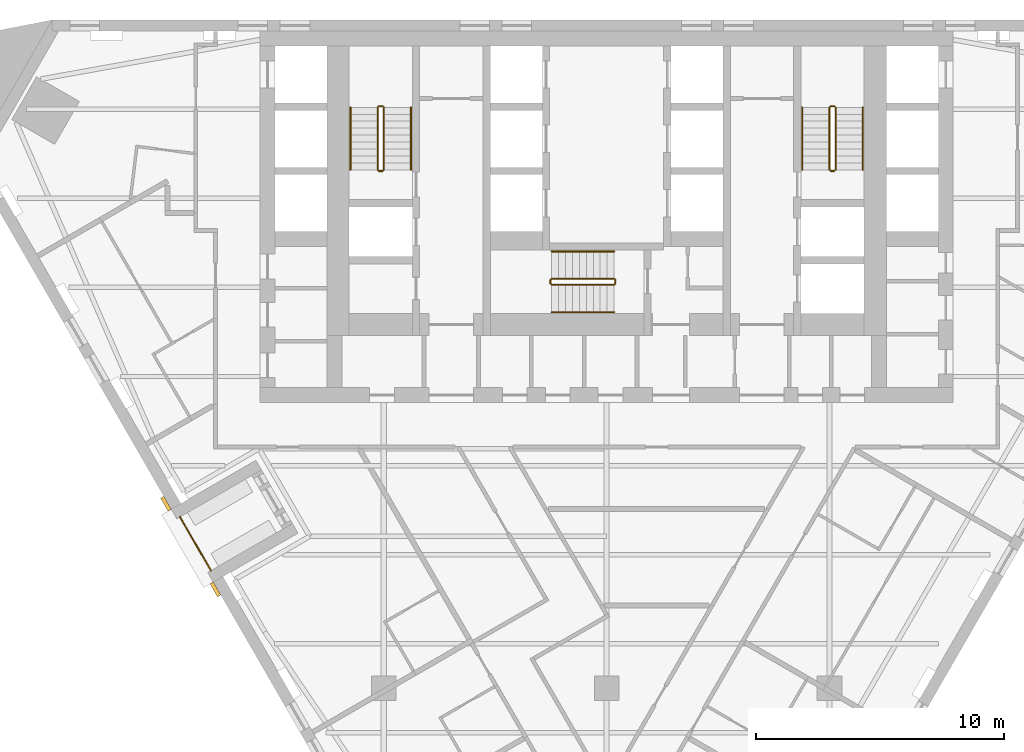
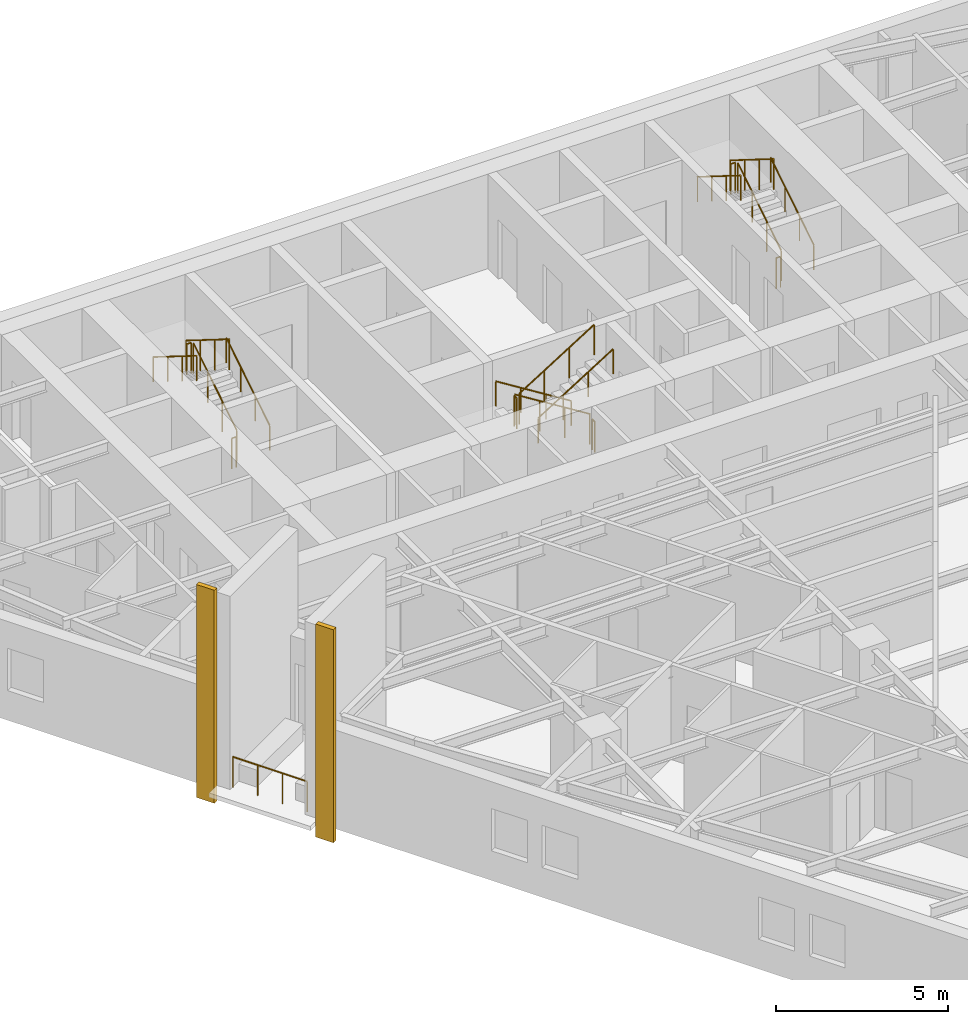
# One storey, part 9 of 9: 19 railings, 2 coverings.
"""IFC4 building model written with IfcOpenShell, lengths in metres."""

from ifc_helpers import new_model, si_unit, direction, frame, origin, origin_2d, place, context, subcontext, project, spatial, polyline, circle, outline, extrude, material, layer, layer_set, type_object, element, save


model = new_model("IFC4")

# Units and contexts
model_context = context("Model", 3, precision=1e-05, world=origin(), true_north=direction((0.0, 1.0)))
body_context = subcontext(model_context, "Body", "Model", "MODEL_VIEW")
ifc_project = project(units=[si_unit("LENGTHUNIT", "METRE"), si_unit("AREAUNIT", "SQUARE_METRE"), si_unit("VOLUMEUNIT", "CUBIC_METRE"), si_unit("PLANEANGLEUNIT", "RADIAN"), si_unit("MASSUNIT", "GRAM", prefix="KILO")], contexts=[model_context])

# Site, building, storey
site_placement = place(None, origin())
site = spatial("IfcSite", under=ifc_project, at=site_placement, CompositionType="ELEMENT")
building_placement = place(site_placement, origin())
building = spatial("IfcBuilding", under=site, at=building_placement, Name="Aloe Facet Convention Tower", CompositionType="ELEMENT")
storey_placement = place(building_placement, frame((0.0, 0.0, 52.5)))
storey = spatial("IfcBuildingStorey", under=building, at=storey_placement, Name="L11", CompositionType="ELEMENT", Elevation=52.5)

# Railings
ifc_material_1 = material(Name="Steel S355 balustrade", Category="steel")
railing_type_1 = type_object("IfcRailingType", Name="CR-RL-GUARD", PredefinedType="GUARDRAIL", material=ifc_material_1)
railing_1_placement = place(storey_placement, frame((71.0, 128.949951171875, 0.175048828125)))
element("IfcRailing", 1, at=railing_1_placement, inside=storey, type_object=railing_type_1, Name="L11 ST1 stair guard 1", PredefinedType="GUARDRAIL", context=body_context, shape_type="SweptSolid", body=[
    extrude(circle(Radius=0.02392578125, at=origin_2d()), frame((0.0, 0.0, 1.076171875), z_axis=(0.0, 0.848007534815, 0.529984170421), x_axis=(-1.0, 0.0, 0.0)), (0.0, 0.0, 1.0), 2.9716796875),
    extrude(circle(Radius=0.02099609375, at=origin_2d()), origin(), (0.0, 0.0, 1.0), 1.052001953125),
    extrude(circle(Radius=0.02099609375, at=origin_2d()), frame((0.0, 0.840087890625, 0.52490234375)), (0.0, 0.0, 1.0), 1.052001953125),
    extrude(circle(Radius=0.02099609375, at=origin_2d()), frame((0.0, 1.679931640625, 1.050048828125)), (0.0, 0.0, 1.0), 1.052001953125),
    extrude(circle(Radius=0.02099609375, at=origin_2d()), frame((0.0, 2.52001953125, 1.574951171875)), (0.0, 0.0, 1.0), 1.052001953125),
])
railing_2_placement = place(storey_placement, frame((70.949951171875, 131.52001953125, 1.75)))
element("IfcRailing", 2, at=railing_2_placement, inside=storey, type_object=railing_type_1, Name="L11 ST1 stair guard 2", PredefinedType="GUARDRAIL", context=body_context, shape_type="SweptSolid", body=[
    extrude(circle(Radius=0.02392578125, at=origin_2d()), frame((0.0, 0.0, 1.076171875), z_axis=(-1.0, 0.0, 0.0), x_axis=(0.0, -1.0, 0.0)), (0.0, 0.0, 1.0), 0.14990234375),
    extrude(circle(Radius=0.02099609375, at=origin_2d()), origin(), (0.0, 0.0, 1.0), 1.052001953125),
    extrude(circle(Radius=0.02099609375, at=origin_2d()), frame((-0.14990234375, 0.0, 0.0)), (0.0, 0.0, 1.0), 1.052001953125),
])
railing_3_placement = place(storey_placement, frame((70.75, 131.469970703125, 1.925048828125)))
element("IfcRailing", 3, at=railing_3_placement, inside=storey, type_object=railing_type_1, Name="L11 ST1 stair guard 3", PredefinedType="GUARDRAIL", context=body_context, shape_type="SweptSolid", body=[
    extrude(circle(Radius=0.02392578125, at=origin_2d()), frame((0.0, 0.0, 1.076171875), z_axis=(0.0, -0.848007534815, 0.529984170421), x_axis=(1.0, 0.0, 0.0)), (0.0, 0.0, 1.0), 2.9716796875),
    extrude(circle(Radius=0.02099609375, at=origin_2d()), origin(), (0.0, 0.0, 1.0), 1.052001953125),
    extrude(circle(Radius=0.02099609375, at=origin_2d()), frame((0.0, -0.840087890625, 0.52490234375)), (0.0, 0.0, 1.0), 1.052001953125),
    extrude(circle(Radius=0.02099609375, at=origin_2d()), frame((0.0, -1.679931640625, 1.050048828125)), (0.0, 0.0, 1.0), 1.052001953125),
    extrude(circle(Radius=0.02099609375, at=origin_2d()), frame((0.0, -2.52001953125, 1.574951171875)), (0.0, 0.0, 1.0), 1.052001953125),
])
railing_4_placement = place(storey_placement, frame((70.949951171875, 128.89990234375, 0.0)))
element("IfcRailing", 4, at=railing_4_placement, inside=storey, type_object=railing_type_1, Name="L11 ST1 stair guard 4", PredefinedType="GUARDRAIL", context=body_context, shape_type="SweptSolid", body=[
    extrude(circle(Radius=0.02392578125, at=origin_2d()), frame((0.0, 0.0, 1.076171875), z_axis=(-1.0, 0.0, 0.0), x_axis=(0.0, -1.0, 0.0)), (0.0, 0.0, 1.0), 0.14990234375),
    extrude(circle(Radius=0.02099609375, at=origin_2d()), origin(), (0.0, 0.0, 1.0), 1.052001953125),
    extrude(circle(Radius=0.02099609375, at=origin_2d()), frame((-0.14990234375, 0.0, 0.0)), (0.0, 0.0, 1.0), 1.052001953125),
])
railing_5_placement = place(storey_placement, frame((89.25, 128.949951171875, 0.175048828125)))
element("IfcRailing", 5, at=railing_5_placement, inside=storey, type_object=railing_type_1, Name="L11 ST2 stair guard 1", PredefinedType="GUARDRAIL", context=body_context, shape_type="SweptSolid", body=[
    extrude(circle(Radius=0.02392578125, at=origin_2d()), frame((0.0, 0.0, 1.076171875), z_axis=(0.0, 0.848007534815, 0.529984170421), x_axis=(-1.0, 0.0, 0.0)), (0.0, 0.0, 1.0), 2.9716796875),
    extrude(circle(Radius=0.02099609375, at=origin_2d()), origin(), (0.0, 0.0, 1.0), 1.052001953125),
    extrude(circle(Radius=0.02099609375, at=origin_2d()), frame((0.0, 0.840087890625, 0.52490234375)), (0.0, 0.0, 1.0), 1.052001953125),
    extrude(circle(Radius=0.02099609375, at=origin_2d()), frame((0.0, 1.679931640625, 1.050048828125)), (0.0, 0.0, 1.0), 1.052001953125),
    extrude(circle(Radius=0.02099609375, at=origin_2d()), frame((0.0, 2.52001953125, 1.574951171875)), (0.0, 0.0, 1.0), 1.052001953125),
])
railing_6_placement = place(storey_placement, frame((89.199951171875, 131.52001953125, 1.75)))
element("IfcRailing", 6, at=railing_6_placement, inside=storey, type_object=railing_type_1, Name="L11 ST2 stair guard 2", PredefinedType="GUARDRAIL", context=body_context, shape_type="SweptSolid", body=[
    extrude(circle(Radius=0.02392578125, at=origin_2d()), frame((0.0, 0.0, 1.076171875), z_axis=(-1.0, 0.0, 0.0), x_axis=(0.0, -1.0, 0.0)), (0.0, 0.0, 1.0), 0.14990234375),
    extrude(circle(Radius=0.02099609375, at=origin_2d()), origin(), (0.0, 0.0, 1.0), 1.052001953125),
    extrude(circle(Radius=0.02099609375, at=origin_2d()), frame((-0.14990234375, 0.0, 0.0)), (0.0, 0.0, 1.0), 1.052001953125),
])
railing_7_placement = place(storey_placement, frame((89.0, 131.469970703125, 1.925048828125)))
element("IfcRailing", 7, at=railing_7_placement, inside=storey, type_object=railing_type_1, Name="L11 ST2 stair guard 3", PredefinedType="GUARDRAIL", context=body_context, shape_type="SweptSolid", body=[
    extrude(circle(Radius=0.02392578125, at=origin_2d()), frame((0.0, 0.0, 1.076171875), z_axis=(0.0, -0.848007534815, 0.529984170421), x_axis=(1.0, 0.0, 0.0)), (0.0, 0.0, 1.0), 2.9716796875),
    extrude(circle(Radius=0.02099609375, at=origin_2d()), origin(), (0.0, 0.0, 1.0), 1.052001953125),
    extrude(circle(Radius=0.02099609375, at=origin_2d()), frame((0.0, -0.840087890625, 0.52490234375)), (0.0, 0.0, 1.0), 1.052001953125),
    extrude(circle(Radius=0.02099609375, at=origin_2d()), frame((0.0, -1.679931640625, 1.050048828125)), (0.0, 0.0, 1.0), 1.052001953125),
    extrude(circle(Radius=0.02099609375, at=origin_2d()), frame((0.0, -2.52001953125, 1.574951171875)), (0.0, 0.0, 1.0), 1.052001953125),
])
railing_8_placement = place(storey_placement, frame((89.199951171875, 128.89990234375, 0.0)))
element("IfcRailing", 8, at=railing_8_placement, inside=storey, type_object=railing_type_1, Name="L11 ST2 stair guard 4", PredefinedType="GUARDRAIL", context=body_context, shape_type="SweptSolid", body=[
    extrude(circle(Radius=0.02392578125, at=origin_2d()), frame((0.0, 0.0, 1.076171875), z_axis=(-1.0, 0.0, 0.0), x_axis=(0.0, -1.0, 0.0)), (0.0, 0.0, 1.0), 0.14990234375),
    extrude(circle(Radius=0.02099609375, at=origin_2d()), origin(), (0.0, 0.0, 1.0), 1.052001953125),
    extrude(circle(Radius=0.02099609375, at=origin_2d()), frame((-0.14990234375, 0.0, 0.0)), (0.0, 0.0, 1.0), 1.052001953125),
])
railing_9_placement = place(storey_placement, frame((80.300048828125, 124.550048828125, 0.175048828125)))
element("IfcRailing", 9, at=railing_9_placement, inside=storey, type_object=railing_type_1, Name="L11 ST3 stair guard 1", PredefinedType="GUARDRAIL", context=body_context, shape_type="SweptSolid", body=[
    extrude(circle(Radius=0.02392578125, at=origin_2d()), frame((0.0, 0.0, 1.076171875), z_axis=(-0.848007534815, 0.0, 0.529984170421), x_axis=(0.0, -1.0, 0.0)), (0.0, 0.0, 1.0), 2.9716796875),
    extrude(circle(Radius=0.02099609375, at=origin_2d()), origin(), (0.0, 0.0, 1.0), 1.052001953125),
    extrude(circle(Radius=0.02099609375, at=origin_2d()), frame((-0.840087890625, 0.0, 0.52490234375)), (0.0, 0.0, 1.0), 1.052001953125),
    extrude(circle(Radius=0.02099609375, at=origin_2d()), frame((-1.679931640625, 0.0, 1.050048828125)), (0.0, 0.0, 1.0), 1.052001953125),
    extrude(circle(Radius=0.02099609375, at=origin_2d()), frame((-2.52001953125, 0.0, 1.574951171875)), (0.0, 0.0, 1.0), 1.052001953125),
])
railing_10_placement = place(storey_placement, frame((77.72998046875, 124.5, 1.75)))
element("IfcRailing", 10, at=railing_10_placement, inside=storey, type_object=railing_type_1, Name="L11 ST3 stair guard 2", PredefinedType="GUARDRAIL", context=body_context, shape_type="SweptSolid", body=[
    extrude(circle(Radius=0.02392578125, at=origin_2d()), frame((0.0, 0.0, 1.076171875), z_axis=(0.0, -1.0, 0.0), x_axis=(1.0, 0.0, 0.0)), (0.0, 0.0, 1.0), 0.14990234375),
    extrude(circle(Radius=0.02099609375, at=origin_2d()), origin(), (0.0, 0.0, 1.0), 1.052001953125),
    extrude(circle(Radius=0.02099609375, at=origin_2d()), frame((0.0, -0.14990234375, 0.0)), (0.0, 0.0, 1.0), 1.052001953125),
])
railing_11_placement = place(storey_placement, frame((77.780029296875, 124.300048828125, 1.925048828125)))
element("IfcRailing", 11, at=railing_11_placement, inside=storey, type_object=railing_type_1, Name="L11 ST3 stair guard 3", PredefinedType="GUARDRAIL", context=body_context, shape_type="SweptSolid", body=[
    extrude(circle(Radius=0.02392578125, at=origin_2d()), frame((0.0, 0.0, 1.076171875), z_axis=(0.848007534815, 0.0, 0.529984170421), x_axis=(0.0, 1.0, 0.0)), (0.0, 0.0, 1.0), 2.9716796875),
    extrude(circle(Radius=0.02099609375, at=origin_2d()), origin(), (0.0, 0.0, 1.0), 1.052001953125),
    extrude(circle(Radius=0.02099609375, at=origin_2d()), frame((0.840087890625, 0.0, 0.52490234375)), (0.0, 0.0, 1.0), 1.052001953125),
    extrude(circle(Radius=0.02099609375, at=origin_2d()), frame((1.679931640625, 0.0, 1.050048828125)), (0.0, 0.0, 1.0), 1.052001953125),
    extrude(circle(Radius=0.02099609375, at=origin_2d()), frame((2.52001953125, 0.0, 1.574951171875)), (0.0, 0.0, 1.0), 1.052001953125),
])
railing_12_placement = place(storey_placement, frame((80.35009765625, 124.5, 0.0)))
element("IfcRailing", 12, at=railing_12_placement, inside=storey, type_object=railing_type_1, Name="L11 ST3 stair guard 4", PredefinedType="GUARDRAIL", context=body_context, shape_type="SweptSolid", body=[
    extrude(circle(Radius=0.02392578125, at=origin_2d()), frame((0.0, 0.0, 1.076171875), z_axis=(0.0, -1.0, 0.0), x_axis=(1.0, 0.0, 0.0)), (0.0, 0.0, 1.0), 0.14990234375),
    extrude(circle(Radius=0.02099609375, at=origin_2d()), origin(), (0.0, 0.0, 1.0), 1.052001953125),
    extrude(circle(Radius=0.02099609375, at=origin_2d()), frame((0.0, -0.14990234375, 0.0)), (0.0, 0.0, 1.0), 1.052001953125),
])
ifc_material_2 = material(Name="Steel S355 handrail", Category="steel")
railing_type_2 = type_object("IfcRailingType", Name="CR-RL-HAND", PredefinedType="HANDRAIL", material=ifc_material_2)
railing_13_placement = place(storey_placement, frame((72.10009765625, 128.949951171875, 0.175048828125)))
element("IfcRailing", 13, at=railing_13_placement, inside=storey, type_object=railing_type_2, Name="L11 ST1 stair handrail 1", PredefinedType="HANDRAIL", context=body_context, shape_type="SweptSolid", body=[
    extrude(circle(Radius=0.02392578125, at=origin_2d()), frame((0.0, 0.0, 0.8759765625), z_axis=(0.0, 0.848007534815, 0.529984170421), x_axis=(-1.0, 0.0, 0.0)), (0.0, 0.0, 1.0), 2.9716796875),
    extrude(circle(Radius=0.02099609375, at=origin_2d()), origin(), (0.0, 0.0, 1.0), 0.851806640625),
    extrude(circle(Radius=0.02099609375, at=origin_2d()), frame((0.0, 0.840087890625, 0.52490234375)), (0.0, 0.0, 1.0), 0.851806640625),
    extrude(circle(Radius=0.02099609375, at=origin_2d()), frame((0.0, 1.679931640625, 1.050048828125)), (0.0, 0.0, 1.0), 0.851806640625),
    extrude(circle(Radius=0.02099609375, at=origin_2d()), frame((0.0, 2.52001953125, 1.574951171875)), (0.0, 0.0, 1.0), 0.851806640625),
])
railing_14_placement = place(storey_placement, frame((69.64990234375, 131.469970703125, 1.925048828125)))
element("IfcRailing", 14, at=railing_14_placement, inside=storey, type_object=railing_type_2, Name="L11 ST1 stair handrail 2", PredefinedType="HANDRAIL", context=body_context, shape_type="SweptSolid", body=[
    extrude(circle(Radius=0.02392578125, at=origin_2d()), frame((0.0, 0.0, 0.8759765625), z_axis=(0.0, -0.848007534815, 0.529984170421), x_axis=(1.0, 0.0, 0.0)), (0.0, 0.0, 1.0), 2.9716796875),
    extrude(circle(Radius=0.02099609375, at=origin_2d()), origin(), (0.0, 0.0, 1.0), 0.851806640625),
    extrude(circle(Radius=0.02099609375, at=origin_2d()), frame((0.0, -0.840087890625, 0.52490234375)), (0.0, 0.0, 1.0), 0.851806640625),
    extrude(circle(Radius=0.02099609375, at=origin_2d()), frame((0.0, -1.679931640625, 1.050048828125)), (0.0, 0.0, 1.0), 0.851806640625),
    extrude(circle(Radius=0.02099609375, at=origin_2d()), frame((0.0, -2.52001953125, 1.574951171875)), (0.0, 0.0, 1.0), 0.851806640625),
])
railing_15_placement = place(storey_placement, frame((90.35009765625, 128.949951171875, 0.175048828125)))
element("IfcRailing", 15, at=railing_15_placement, inside=storey, type_object=railing_type_2, Name="L11 ST2 stair handrail 1", PredefinedType="HANDRAIL", context=body_context, shape_type="SweptSolid", body=[
    extrude(circle(Radius=0.02392578125, at=origin_2d()), frame((0.0, 0.0, 0.8759765625), z_axis=(0.0, 0.848007534815, 0.529984170421), x_axis=(-1.0, 0.0, 0.0)), (0.0, 0.0, 1.0), 2.9716796875),
    extrude(circle(Radius=0.02099609375, at=origin_2d()), origin(), (0.0, 0.0, 1.0), 0.851806640625),
    extrude(circle(Radius=0.02099609375, at=origin_2d()), frame((0.0, 0.840087890625, 0.52490234375)), (0.0, 0.0, 1.0), 0.851806640625),
    extrude(circle(Radius=0.02099609375, at=origin_2d()), frame((0.0, 1.679931640625, 1.050048828125)), (0.0, 0.0, 1.0), 0.851806640625),
    extrude(circle(Radius=0.02099609375, at=origin_2d()), frame((0.0, 2.52001953125, 1.574951171875)), (0.0, 0.0, 1.0), 0.851806640625),
])
railing_16_placement = place(storey_placement, frame((87.89990234375, 131.469970703125, 1.925048828125)))
element("IfcRailing", 16, at=railing_16_placement, inside=storey, type_object=railing_type_2, Name="L11 ST2 stair handrail 2", PredefinedType="HANDRAIL", context=body_context, shape_type="SweptSolid", body=[
    extrude(circle(Radius=0.02392578125, at=origin_2d()), frame((0.0, 0.0, 0.8759765625), z_axis=(0.0, -0.848007534815, 0.529984170421), x_axis=(1.0, 0.0, 0.0)), (0.0, 0.0, 1.0), 2.9716796875),
    extrude(circle(Radius=0.02099609375, at=origin_2d()), origin(), (0.0, 0.0, 1.0), 0.851806640625),
    extrude(circle(Radius=0.02099609375, at=origin_2d()), frame((0.0, -0.840087890625, 0.52490234375)), (0.0, 0.0, 1.0), 0.851806640625),
    extrude(circle(Radius=0.02099609375, at=origin_2d()), frame((0.0, -1.679931640625, 1.050048828125)), (0.0, 0.0, 1.0), 0.851806640625),
    extrude(circle(Radius=0.02099609375, at=origin_2d()), frame((0.0, -2.52001953125, 1.574951171875)), (0.0, 0.0, 1.0), 0.851806640625),
])
railing_17_placement = place(storey_placement, frame((80.300048828125, 125.64990234375, 0.175048828125)))
element("IfcRailing", 17, at=railing_17_placement, inside=storey, type_object=railing_type_2, Name="L11 ST3 stair handrail 1", PredefinedType="HANDRAIL", context=body_context, shape_type="SweptSolid", body=[
    extrude(circle(Radius=0.02392578125, at=origin_2d()), frame((0.0, 0.0, 0.8759765625), z_axis=(-0.848007534815, 0.0, 0.529984170421), x_axis=(0.0, -1.0, 0.0)), (0.0, 0.0, 1.0), 2.9716796875),
    extrude(circle(Radius=0.02099609375, at=origin_2d()), origin(), (0.0, 0.0, 1.0), 0.851806640625),
    extrude(circle(Radius=0.02099609375, at=origin_2d()), frame((-0.840087890625, 0.0, 0.52490234375)), (0.0, 0.0, 1.0), 0.851806640625),
    extrude(circle(Radius=0.02099609375, at=origin_2d()), frame((-1.679931640625, 0.0, 1.050048828125)), (0.0, 0.0, 1.0), 0.851806640625),
    extrude(circle(Radius=0.02099609375, at=origin_2d()), frame((-2.52001953125, 0.0, 1.574951171875)), (0.0, 0.0, 1.0), 0.851806640625),
])
railing_18_placement = place(storey_placement, frame((77.780029296875, 123.199951171875, 1.925048828125)))
element("IfcRailing", 18, at=railing_18_placement, inside=storey, type_object=railing_type_2, Name="L11 ST3 stair handrail 2", PredefinedType="HANDRAIL", context=body_context, shape_type="SweptSolid", body=[
    extrude(circle(Radius=0.02392578125, at=origin_2d()), frame((0.0, 0.0, 0.8759765625), z_axis=(0.848007534815, 0.0, 0.529984170421), x_axis=(0.0, 1.0, 0.0)), (0.0, 0.0, 1.0), 2.9716796875),
    extrude(circle(Radius=0.02099609375, at=origin_2d()), origin(), (0.0, 0.0, 1.0), 0.851806640625),
    extrude(circle(Radius=0.02099609375, at=origin_2d()), frame((0.840087890625, 0.0, 0.52490234375)), (0.0, 0.0, 1.0), 0.851806640625),
    extrude(circle(Radius=0.02099609375, at=origin_2d()), frame((1.679931640625, 0.0, 1.050048828125)), (0.0, 0.0, 1.0), 0.851806640625),
    extrude(circle(Radius=0.02099609375, at=origin_2d()), frame((2.52001953125, 0.0, 1.574951171875)), (0.0, 0.0, 1.0), 0.851806640625),
])

# Coverings
ifc_material_3 = material(Name="Bronze oxide fascia sheet")
ifc_layer = layer(ifc_material_3, 0.14990234375)
ifc_layer_set = layer_set([ifc_layer], Name="EV-FASCIA-TERR")
covering_type = type_object("IfcCoveringType", Name="EV-FASCIA-TERR", PredefinedType="CLADDING", material=ifc_layer_set)
covering_1_placement = place(storey_placement, frame((0.0, 0.0, -0.550048828125)))
element("IfcCovering", 19, at=covering_1_placement, inside=storey, type_object=covering_type, Name="Terrace frame T02 1", PredefinedType="CLADDING", context=body_context, shape_type="SweptSolid", body=[
    extrude(outline(polyline([(61.97998046875, 115.681884765625), (62.280029296875, 115.162353515625), (62.409912109375, 115.2373046875), (62.110107421875, 115.7568359375), (61.97998046875, 115.681884765625)])), origin(), (0.0, 0.0, 1.0), 7.550048828125),
])
covering_2_placement = place(storey_placement, frame((0.0, 0.0, -0.550048828125)))
element("IfcCovering", 20, at=covering_2_placement, inside=storey, type_object=covering_type, Name="Terrace frame T02 2", PredefinedType="CLADDING", context=body_context, shape_type="SweptSolid", body=[
    extrude(outline(polyline([(63.97998046875, 112.2177734375), (64.280029296875, 111.6982421875), (64.409912109375, 111.773193359375), (64.110107421875, 112.292724609375), (63.97998046875, 112.2177734375)])), origin(), (0.0, 0.0, 1.0), 7.550048828125),
])

# Railing
ifc_material_4 = material(Name="Steel S355, bronze oxide finish", Category="steel")
railing_type_3 = type_object("IfcRailingType", Name="EV-GUARD-TERR", PredefinedType="GUARDRAIL", material=ifc_material_4)
railing_19_placement = place(storey_placement, frame((62.764892578125, 114.922607421875, 0.0)))
element("IfcRailing", 21, at=railing_19_placement, inside=storey, type_object=railing_type_3, Name="GUARD T02", PredefinedType="GUARDRAIL", context=body_context, shape_type="SweptSolid", body=[
    extrude(circle(Radius=0.02392578125, at=origin_2d()), frame((0.0, 0.0, 1.076171875), z_axis=(0.500004234368, -0.866022959057, 0.0), x_axis=(0.866022959057, 0.500004234368, 0.0)), (0.0, 0.0, 1.0), 2.5),
    extrude(circle(Radius=0.02099609375, at=origin_2d()), origin(), (0.0, 0.0, 1.0), 1.052001953125),
    extrude(circle(Radius=0.02099609375, at=origin_2d()), frame((0.416748046875, -0.7216796875, 0.0)), (0.0, 0.0, 1.0), 1.052001953125),
    extrude(circle(Radius=0.02099609375, at=origin_2d()), frame((0.833251953125, -1.443359375, 0.0)), (0.0, 0.0, 1.0), 1.052001953125),
    extrude(circle(Radius=0.02099609375, at=origin_2d()), frame((1.25, -2.1650390625, 0.0)), (0.0, 0.0, 1.0), 1.052001953125),
])

save(model, "model.ifc")
